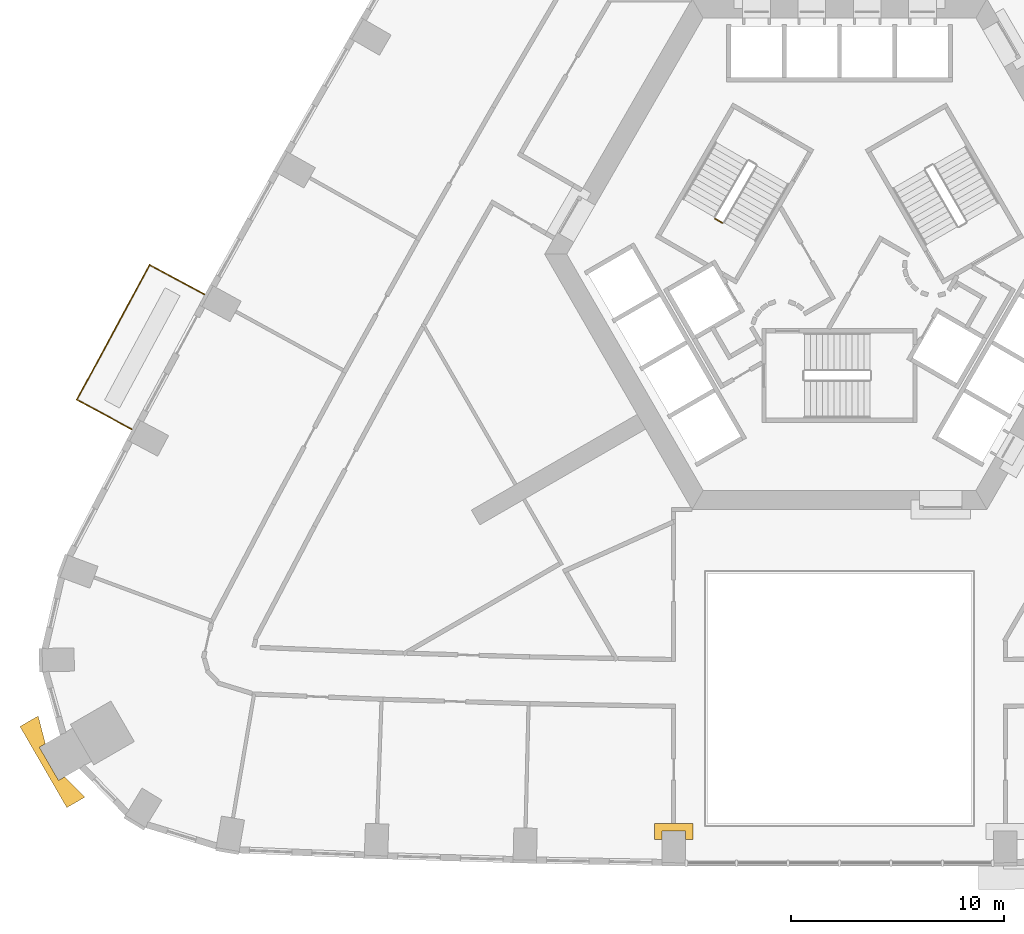
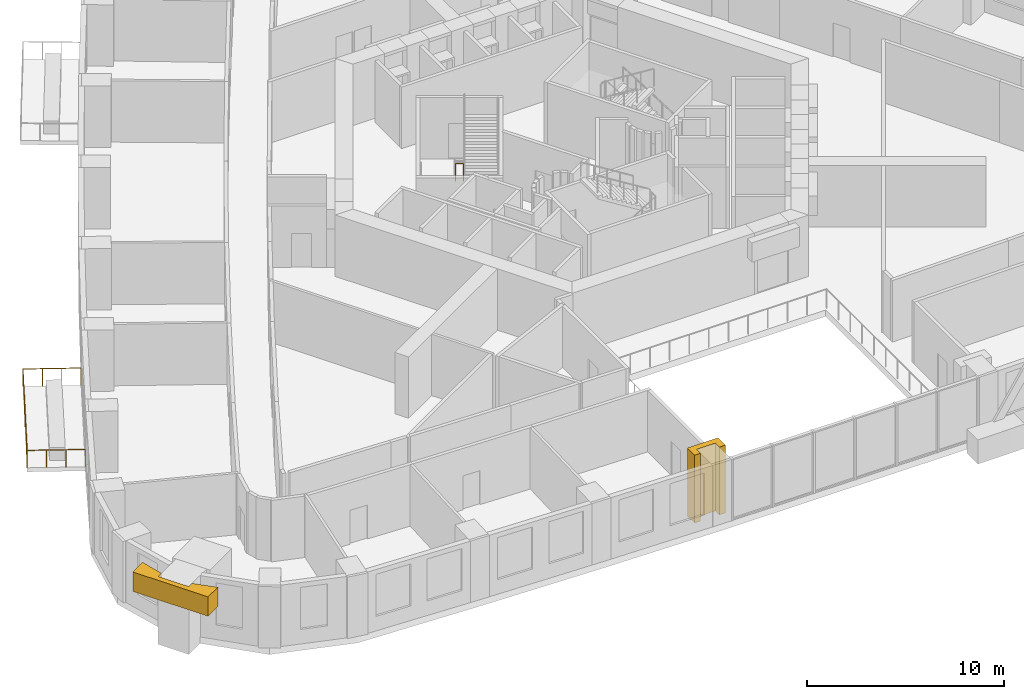
# One storey, part 13 of 16: 2 coverings, 2 railings.
"""IFC4 building model written with IfcOpenShell, lengths in metres."""

import ifcopenshell
import ifcopenshell.guid

model = None  # the IFC model being written
_history = None  # IfcOwnerHistory: only IFC2X3 demands one
_inside = {}  # id of a spatial element -> (the spatial element, [elements in it])
_under = {}  # id of a project, library or spatial element -> (it, [spatial elements below it])
_declared = {}  # id of a project -> (the project, [libraries it declares])
_typed = {}  # id of a type object -> (the type object, [elements of that type])
_made_of = {}  # id of a material, layer set ... -> (it, [elements and type objects made of it])


def new_model(schema):
    """Start an empty IFC model of exactly this schema.

    Asked for "IFC4X3", IfcOpenShell would pick the latest addendum, in which some entities
    have other attributes; the version numbers below select the first issue.
    IFC2X3 requires an IfcOwnerHistory on every rooted entity: one is made here for all.
    """
    global model, _history
    if schema == "IFC4X3":
        model = ifcopenshell.file(schema_version=(4, 3, 0, 0))
    else:
        model = ifcopenshell.file(schema=schema)
    _inside.clear()
    _under.clear()
    _declared.clear()
    _typed.clear()
    _made_of.clear()
    _history = None
    if model.schema == "IFC2X3":
        org = make("IfcOrganization", Name="unknown")
        user = make(
            "IfcPersonAndOrganization",
            ThePerson=make("IfcPerson", FamilyName="unknown"),
            TheOrganization=org,
        )
        app = make(
            "IfcApplication",
            ApplicationDeveloper=org,
            Version="unknown",
            ApplicationFullName="unknown",
            ApplicationIdentifier="unknown",
        )
        _history = make(
            "IfcOwnerHistory",
            OwningUser=user,
            OwningApplication=app,
            ChangeAction="ADDED",
            CreationDate=0,
        )
    return model


def make(cls, **values):
    """One entity of the class cls with the attributes given. An attribute that is None is left unset."""
    return model.create_entity(
        cls, **{name: value for name, value in values.items() if value is not None}
    )


def rooted(cls, **values):
    """An entity with a GlobalId (a new one), such as an element, a storey or a relation."""
    return make(cls, GlobalId=ifcopenshell.guid.new(), OwnerHistory=_history, **values)


def si_unit(unit_type, name, prefix=None):
    """IfcSIUnit, for example si_unit("LENGTHUNIT", "METRE", prefix="MILLI")."""
    return make("IfcSIUnit", UnitType=unit_type, Prefix=prefix, Name=name)


def assignment(units):
    """IfcUnitAssignment: the units of a project."""
    return None if units is None else make("IfcUnitAssignment", Units=units)


def point(xyz):
    """IfcCartesianPoint."""
    return None if xyz is None else make("IfcCartesianPoint", Coordinates=xyz)


def direction(xyz):
    """IfcDirection."""
    return None if xyz is None else make("IfcDirection", DirectionRatios=xyz)


def frame(location, z_axis=None, x_axis=None):
    """IfcAxis2Placement3D, a coordinate frame: its origin and axes. An axis left out is left unset."""
    return make(
        "IfcAxis2Placement3D",
        Location=point(location),
        Axis=direction(z_axis),
        RefDirection=direction(x_axis),
    )


def frame_2d(location, x_axis=None):
    """IfcAxis2Placement2D, a coordinate frame in the plane: its origin and x axis."""
    return make(
        "IfcAxis2Placement2D", Location=point(location), RefDirection=direction(x_axis)
    )


def origin():
    """The frame at (0, 0, 0) with its axes left unset."""
    return frame((0.0, 0.0, 0.0))


def origin_2d():
    """The frame at (0, 0) in the plane with its x axis left unset."""
    return frame_2d((0.0, 0.0))


def place(relative_to, where):
    """IfcLocalPlacement: puts the frame where relative to a parent placement (None: the world)."""
    return make(
        "IfcLocalPlacement", PlacementRelTo=relative_to, RelativePlacement=where
    )


def context(
    kind, dimensions, precision=None, world=None, true_north=None, identifier=None
):
    """IfcGeometricRepresentationContext, for example the 3D "Model" context."""
    return make(
        "IfcGeometricRepresentationContext",
        ContextIdentifier=identifier,
        ContextType=kind,
        CoordinateSpaceDimension=dimensions,
        Precision=precision,
        WorldCoordinateSystem=world,
        TrueNorth=true_north,
    )


def subcontext(parent, identifier, kind, view, scale=None):
    """IfcGeometricRepresentationSubContext, for example "Body" below "Model"."""
    return make(
        "IfcGeometricRepresentationSubContext",
        ContextIdentifier=identifier,
        ContextType=kind,
        ParentContext=parent,
        TargetScale=scale,
        TargetView=view,
    )


def project(units=None, contexts=None):
    """IfcProject with its units and contexts."""
    return rooted(
        "IfcProject",
        Name="project",
        RepresentationContexts=contexts,
        UnitsInContext=assignment(units),
    )


def spatial(cls, under=None, at=None, **own):
    """A site, building, storey or space (cls), placed at a placement, below another one or the project."""
    s = rooted(cls, ObjectPlacement=at, **own)
    if under is not None:
        _under.setdefault(under.id(), (under, []))[1].append(s)
    return s


def polyline(points):
    """IfcPolyline through the points."""
    return make("IfcPolyline", Points=[point(p) for p in points])


def profile(cls, at=None, kind="AREA", **sizes):
    """A parametric profile (cls). Its sizes go by their IFC names, for example OverallWidth=200.0."""
    return make(cls, ProfileType=kind, Position=at, **sizes)


def circle(**sizes):
    """IfcCircleProfileDef."""
    return profile("IfcCircleProfileDef", **sizes)


def outline(outer, holes=None, kind="AREA"):
    """IfcArbitraryClosedProfileDef: a profile drawn as a closed curve; with holes, ...WithVoids."""
    if holes is None:
        return make("IfcArbitraryClosedProfileDef", ProfileType=kind, OuterCurve=outer)
    return make(
        "IfcArbitraryProfileDefWithVoids",
        ProfileType=kind,
        OuterCurve=outer,
        InnerCurves=holes,
    )


def extrude(swept, where, along, depth):
    """IfcExtrudedAreaSolid: the profile swept, set in the frame where, extruded along a direction by depth."""
    return make(
        "IfcExtrudedAreaSolid",
        SweptArea=swept,
        Position=where,
        ExtrudedDirection=direction(along),
        Depth=depth,
    )


def shape(context_of_items, identifier, shape_type, items):
    """IfcShapeRepresentation: the items that make up one representation, for example the "Body"."""
    return make(
        "IfcShapeRepresentation",
        ContextOfItems=context_of_items,
        RepresentationIdentifier=identifier,
        RepresentationType=shape_type,
        Items=items,
    )


def material(Name=None, Category=None):
    """IfcMaterial."""
    return make("IfcMaterial", Name=Name, Category=Category)


def made_of(thing, what):
    """Note that an element or type object is made of a material, layer set ...; save() writes the relation."""
    if what is not None:
        _made_of.setdefault(what.id(), (what, []))[1].append(thing)
    return thing


def type_object(cls, material=None, **own):
    """A type object (cls), such as IfcWallType, which elements share."""
    return made_of(rooted(cls, **own), material)


def element(
    cls,
    number,
    at=None,
    inside=None,
    cuts=None,
    type_object=None,
    material=None,
    context=None,
    identifier="Body",
    shape_type=None,
    held_by="IfcProductDefinitionShape",
    body=None,
    shapes=None,
    **own,
):
    """One element of the class cls, such as IfcWall. Its Tag is "e" and its number.

    at: its placement. inside: the storey or other place that contains it. cuts: it is an
    opening in that element (IfcRelVoidsElement). A single representation is given by context,
    identifier, shape_type and body (its items); several are given by shapes. held_by: the class
    of the entity that holds the representations. save() writes the other relations.
    """
    e = rooted(cls, Tag="e%d" % number, ObjectPlacement=at, **own)
    if body is not None:
        shapes = [shape(context, identifier, shape_type, body)]
    if shapes is not None:
        e.Representation = make(held_by, Representations=shapes)
    if inside is not None:
        _inside.setdefault(inside.id(), (inside, []))[1].append(e)
    if cuts is not None:
        rooted(
            "IfcRelVoidsElement", RelatingBuildingElement=cuts, RelatedOpeningElement=e
        )
    if type_object is not None:
        _typed.setdefault(type_object.id(), (type_object, []))[1].append(e)
    return made_of(e, material)


def aggregate(whole, parts):
    """IfcRelAggregates: a whole, such as a stair, and the parts it consists of."""
    return rooted("IfcRelAggregates", RelatingObject=whole, RelatedObjects=parts)


def save(model, path):
    """Write the relations noted so far, then the file.

    IfcRelAggregates (storeys below a building ...), IfcRelContainedInSpatialStructure (elements
    in a storey), IfcRelDefinesByType, IfcRelAssociatesMaterial and IfcRelDeclares: one each for
    every whole, place, type object, material and project.
    """
    for whole, parts in _under.values():
        aggregate(whole, parts)
    for where, things in _inside.values():
        rooted(
            "IfcRelContainedInSpatialStructure",
            RelatedElements=things,
            RelatingStructure=where,
        )
    for kind, things in _typed.values():
        rooted("IfcRelDefinesByType", RelatedObjects=things, RelatingType=kind)
    for what, things in _made_of.values():
        rooted("IfcRelAssociatesMaterial", RelatedObjects=things, RelatingMaterial=what)
    for by, libraries in _declared.values():
        rooted("IfcRelDeclares", RelatingContext=by, RelatedDefinitions=libraries)
    model.write(path)


model = new_model("IFC4")

# Units and contexts
model_context = context("Model", 3, precision=1e-05, world=origin(), true_north=direction((0.0, 1.0)))
body_context = subcontext(model_context, "Body", "Model", "MODEL_VIEW")
ifc_project = project(units=[si_unit("LENGTHUNIT", "METRE"), si_unit("AREAUNIT", "SQUARE_METRE"), si_unit("VOLUMEUNIT", "CUBIC_METRE"), si_unit("PLANEANGLEUNIT", "RADIAN"), si_unit("MASSUNIT", "GRAM", prefix="KILO")], contexts=[model_context])

# Site, building, storey
site_placement = place(None, origin())
site = spatial("IfcSite", under=ifc_project, at=site_placement, CompositionType="ELEMENT")
building_placement = place(site_placement, origin())
building = spatial("IfcBuilding", under=site, at=building_placement, Name="Entoto Arch Interchange Tower", CompositionType="ELEMENT")
storey_placement = place(building_placement, frame((0.0, 0.0, 95.0)))
storey = spatial("IfcBuildingStorey", under=building, at=storey_placement, Name="L20", CompositionType="ELEMENT", Elevation=95.0)

# Railing
ifc_material_1 = material(Name="Stainless steel 1.4301", Category="steel")
railing_type_1 = type_object("IfcRailingType", Name="GUARD 1100 STEEL AND GLASS", PredefinedType="GUARDRAIL", material=ifc_material_1)
railing_1_placement = place(storey_placement, frame((-29.8291015625, 0.59912109375, 0.0)))
element("IfcRailing", 1, at=railing_1_placement, inside=storey, type_object=railing_type_1, Name="Balcony guard NW-07 L20", PredefinedType="GUARDRAIL", context=body_context, shape_type="SweptSolid", body=[
    extrude(circle(Radius=0.02392578125, at=origin_2d()), frame((0.0, 0.0, 1.076171875), z_axis=(-0.880388699656, 0.474252820253, 0.0), x_axis=(-0.474252820253, -0.880388699656, 0.0)), (0.0, 0.0, 1.0), 2.94970703125),
    extrude(circle(Radius=0.02392578125, at=origin_2d()), frame((-2.596923828125, 1.39892578125, 1.076171875), z_axis=(-0.474393046423, -0.880313147412, 0.0), x_axis=(0.880313147412, -0.474393046423, 0.0)), (0.0, 0.0, 1.0), 7.19873046875),
    extrude(circle(Radius=0.02392578125, at=origin_2d()), frame((-6.011962890625, -4.938232421875, 1.076171875), z_axis=(0.88040731314, -0.474218265115, 0.0), x_axis=(0.474218265115, 0.88040731314, 0.0)), (0.0, 0.0, 1.0), 2.949951171875),
    extrude(circle(Radius=0.02099609375, at=origin_2d()), origin(), (0.0, 0.0, 1.0), 1.052001953125),
    extrude(circle(Radius=0.02099609375, at=origin_2d()), frame((-0.86572265625, 0.46630859375, 0.0)), (0.0, 0.0, 1.0), 1.052001953125),
    extrude(circle(Radius=0.02099609375, at=origin_2d()), frame((-1.731201171875, 0.9326171875, 0.0)), (0.0, 0.0, 1.0), 1.052001953125),
    extrude(circle(Radius=0.02099609375, at=origin_2d()), frame((-2.596923828125, 1.39892578125, 0.0)), (0.0, 0.0, 1.0), 1.052001953125),
    extrude(circle(Radius=0.02099609375, at=origin_2d()), frame((-3.166015625, 0.3427734375, 0.0)), (0.0, 0.0, 1.0), 1.052001953125),
    extrude(circle(Radius=0.02099609375, at=origin_2d()), frame((-3.7353515625, -0.71337890625, 0.0)), (0.0, 0.0, 1.0), 1.052001953125),
    extrude(circle(Radius=0.02099609375, at=origin_2d()), frame((-4.304443359375, -1.76953125, 0.0)), (0.0, 0.0, 1.0), 1.052001953125),
    extrude(circle(Radius=0.02099609375, at=origin_2d()), frame((-4.87353515625, -2.825927734375, 0.0)), (0.0, 0.0, 1.0), 1.052001953125),
    extrude(circle(Radius=0.02099609375, at=origin_2d()), frame((-5.44287109375, -3.882080078125, 0.0)), (0.0, 0.0, 1.0), 1.052001953125),
    extrude(circle(Radius=0.02099609375, at=origin_2d()), frame((-6.011962890625, -4.938232421875, 0.0)), (0.0, 0.0, 1.0), 1.052001953125),
    extrude(circle(Radius=0.02099609375, at=origin_2d()), frame((-5.146240234375, -5.404541015625, 0.0)), (0.0, 0.0, 1.0), 1.052001953125),
    extrude(circle(Radius=0.02099609375, at=origin_2d()), frame((-4.280517578125, -5.870849609375, 0.0)), (0.0, 0.0, 1.0), 1.052001953125),
    extrude(circle(Radius=0.02099609375, at=origin_2d()), frame((-3.414794921875, -6.337158203125, 0.0)), (0.0, 0.0, 1.0), 1.052001953125),
])

# Coverings
ifc_material_2 = material(Name="Board-marked precast concrete C50/60", Category="concrete")
covering_type = type_object("IfcCoveringType", Name="PRECAST FRAME COURSE", PredefinedType="CLADDING", material=ifc_material_2)
covering_1_placement = place(storey_placement, frame((0.0, 0.0, 2.60009765625)))
element("IfcCovering", 2, at=covering_1_placement, inside=storey, type_object=covering_type, Name="Corner pilaster head SW L18-L20", PredefinedType="CLADDING", context=body_context, shape_type="SweptSolid", body=[
    extrude(outline(polyline([(-36.31591796875, -23.508056640625), (-38.51611328125, -19.697998046875), (-37.662109375, -19.205078125), (-37.323974609375, -20.510009765625), (-37.60595703125, -20.674072265625), (-36.7060546875, -22.23193359375), (-36.423095703125, -22.069091796875), (-35.4619140625, -23.014892578125), (-36.31591796875, -23.508056640625)])), origin(), (0.0, 0.0, 1.0), 1.199951171875),
])
covering_2_placement = place(storey_placement, frame((0.0, 0.0, -0.39990234375)))
element("IfcCovering", 3, at=covering_2_placement, inside=storey, type_object=covering_type, Name="Gate pier L20", PredefinedType="CLADDING", context=body_context, shape_type="SweptSolid", body=[
    extrude(outline(polyline([(-8.69189453125, -24.2509765625), (-6.89208984375, -24.2509765625), (-6.89208984375, -24.9990234375), (-7.241943359375, -24.9990234375), (-7.241943359375, -24.60107421875), (-8.342041015625, -24.60107421875), (-8.342041015625, -24.9990234375), (-8.69189453125, -24.9990234375), (-8.69189453125, -24.2509765625)])), origin(), (0.0, 0.0, 1.0), 4.199951171875),
])

# Railing
railing_type_2 = type_object("IfcRailingType", Name="STAIR GUARD 1100 STEEL", PredefinedType="GUARDRAIL", material=ifc_material_1)
railing_2_placement = place(storey_placement, frame((-5.849609375, 4.168212890625, 2.10009765625)))
element("IfcRailing", 4, at=railing_2_placement, inside=storey, type_object=railing_type_2, Name="L20 ST-NW stair guard 2", PredefinedType="GUARDRAIL", context=body_context, shape_type="SweptSolid", body=[
    extrude(circle(Radius=0.02392578125, at=origin_2d()), frame((0.0, 0.0, 1.076171875), z_axis=(0.866094119867, -0.499880961361, 0.0), x_axis=(0.499880961361, 0.866094119867, 0.0)), (0.0, 0.0, 1.0), 0.39990234375),
    extrude(circle(Radius=0.02099609375, at=origin_2d()), origin(), (0.0, 0.0, 1.0), 1.052001953125),
    extrude(circle(Radius=0.02099609375, at=origin_2d()), frame((0.346435546875, -0.199951171875, 0.0)), (0.0, 0.0, 1.0), 1.052001953125),
])

save(model, "model.ifc")
